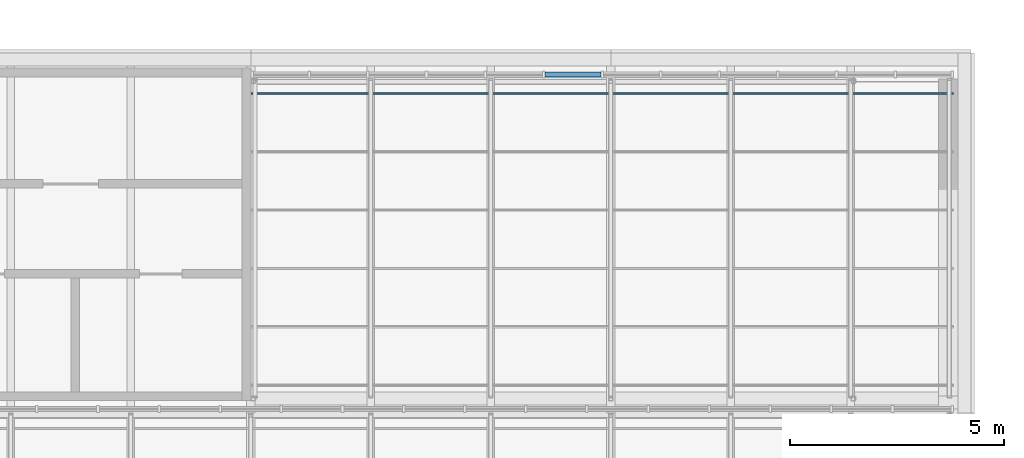
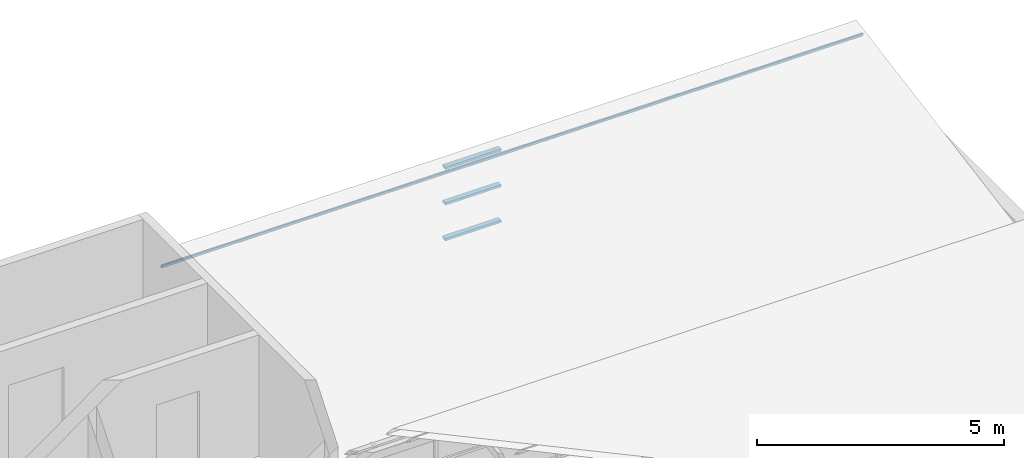
# One storey, part 13 of 33: 4 members, 1 element without a shape of its own.
"""IFC4 building model written with IfcOpenShell, lengths in metres."""

from ifc_helpers import new_model, si_unit, direction, frame, origin, origin_2d, place, context, subcontext, project, spatial, rectangle, hollow_rectangle, extrude, material, layer, layer_set, material_profile, profile_set, type_object, element, aggregate, save


model = new_model("IFC4")

# Units and contexts
model_context = context("Model", 3, precision=1e-05, world=origin(), true_north=direction((0.0, 1.0)))
body_context = subcontext(model_context, "Body", "Model", "MODEL_VIEW")
ifc_project = project(units=[si_unit("LENGTHUNIT", "METRE"), si_unit("AREAUNIT", "SQUARE_METRE"), si_unit("VOLUMEUNIT", "CUBIC_METRE"), si_unit("PLANEANGLEUNIT", "RADIAN"), si_unit("MASSUNIT", "GRAM", prefix="KILO")], contexts=[model_context])

# Site, building, storey
site_placement = place(None, origin())
site = spatial("IfcSite", under=ifc_project, at=site_placement, CompositionType="ELEMENT")
building_placement = place(site_placement, origin())
building = spatial("IfcBuilding", under=site, at=building_placement, Name="Ardhachandra Cancer Care Centre", CompositionType="ELEMENT")
storey_placement = place(building_placement, frame((0.0, 0.0, 27.0)))
storey = spatial("IfcBuildingStorey", under=building, at=storey_placement, Name="Roof", CompositionType="ELEMENT", Elevation=27.0)

# Curtain wall, members
ifc_material_1 = material(Name="Aluminium extrusion", Category="aluminium")
ifc_layer = layer(ifc_material_1, 0.14990234375)
ifc_layer_set = layer_set([ifc_layer], Name="Aluminium extrusion")
curtain_wall_type = type_object("IfcCurtainWallType", Name="Curtain wall run", PredefinedType="NOTDEFINED", material=ifc_layer_set)
curtain_wall_placement = place(storey_placement, origin())
curtain_wall = element("IfcCurtainWall", 1, at=curtain_wall_placement, inside=storey, type_object=curtain_wall_type, Name="Curtain wall Roof n/0128400_0104500", PredefinedType="NOTDEFINED")
ifc_material_2 = material(Name="Aluminium extrusion", Category="aluminium")
ifc_material_profile_1 = material_profile(ifc_material_2, rectangle(XDim=0.1201171875, YDim=0.06005859375, at=origin_2d()), Name="Curtain wall transom 60 x 120")
ifc_profile_set_1 = profile_set([ifc_material_profile_1], Name="Aluminium extrusion")
member_type_1 = type_object("IfcMemberType", Name="Curtain wall transom 60 x 120", PredefinedType="USERDEFINED", material=ifc_profile_set_1)
member_1_placement = place(storey_placement, frame((135.263427734375, 104.5, 0.030029296875), z_axis=(1.0, 0.0, 0.0), x_axis=(0.0, 1.0, 0.0)))
member_1 = element("IfcMember", 2, at=member_1_placement, type_object=member_type_1, Name="CW transom 6.1", ObjectType="TRANSOM", PredefinedType="USERDEFINED", context=body_context, shape_type="SweptSolid", body=[
    extrude(rectangle(XDim=0.1201171875, YDim=0.06005859375, at=origin_2d()), origin(), (0.0, 0.0, 1.0), 1.306640625),
])
member_2_placement = place(storey_placement, frame((135.263427734375, 104.5, 0.909912109375), z_axis=(1.0, 0.0, 0.0), x_axis=(0.0, 1.0, 0.0)))
member_2 = element("IfcMember", 3, at=member_2_placement, type_object=member_type_1, Name="CW transom 6.2", ObjectType="TRANSOM", PredefinedType="USERDEFINED", context=body_context, shape_type="SweptSolid", body=[
    extrude(rectangle(XDim=0.1201171875, YDim=0.06005859375, at=origin_2d()), origin(), (0.0, 0.0, 1.0), 1.306640625),
])
member_3_placement = place(storey_placement, frame((135.263427734375, 104.5, 1.7900390625), z_axis=(1.0, 0.0, 0.0), x_axis=(0.0, 1.0, 0.0)))
member_3 = element("IfcMember", 4, at=member_3_placement, type_object=member_type_1, Name="CW transom 6.3", ObjectType="TRANSOM", PredefinedType="USERDEFINED", context=body_context, shape_type="SweptSolid", body=[
    extrude(rectangle(XDim=0.1201171875, YDim=0.06005859375, at=origin_2d()), origin(), (0.0, 0.0, 1.0), 1.306640625),
])
aggregate(curtain_wall, [member_1, member_2, member_3])

# Member
ifc_material_3 = material(Name="Steel E350 (IS 2062)", Category="steel")
ifc_material_profile_2 = material_profile(ifc_material_3, hollow_rectangle(XDim=0.0400390625, YDim=0.080078125, WallThickness=0.00390625, InnerFilletRadius=0.00390625, OuterFilletRadius=0.008056640625, at=origin_2d()), Name="RHS 80x40x4.0")
ifc_profile_set_2 = profile_set([ifc_material_profile_2], Name="Steel E350 (IS 2062)")
member_type_2 = type_object("IfcMemberType", Name="Roof purlin RHS 80x40x4.0", PredefinedType="PURLIN", material=ifc_profile_set_2)
member_4_placement = place(storey_placement, frame((128.39990234375, 104.061767578125, 2.00341796875), z_axis=(1.0, 0.0, 0.0), x_axis=(0.0, 0.984460447526, 0.175606455623)))
element("IfcMember", 5, at=member_4_placement, inside=storey, type_object=member_type_2, Name="Purlin ST3a.6", PredefinedType="PURLIN", context=body_context, shape_type="SweptSolid", body=[
    extrude(hollow_rectangle(XDim=0.0400390625, YDim=0.080078125, WallThickness=0.00390625, InnerFilletRadius=0.00390625, OuterFilletRadius=0.008056640625, at=origin_2d()), origin(), (0.0, 0.0, 1.0), 16.400146484375),
])

save(model, "model.ifc")
